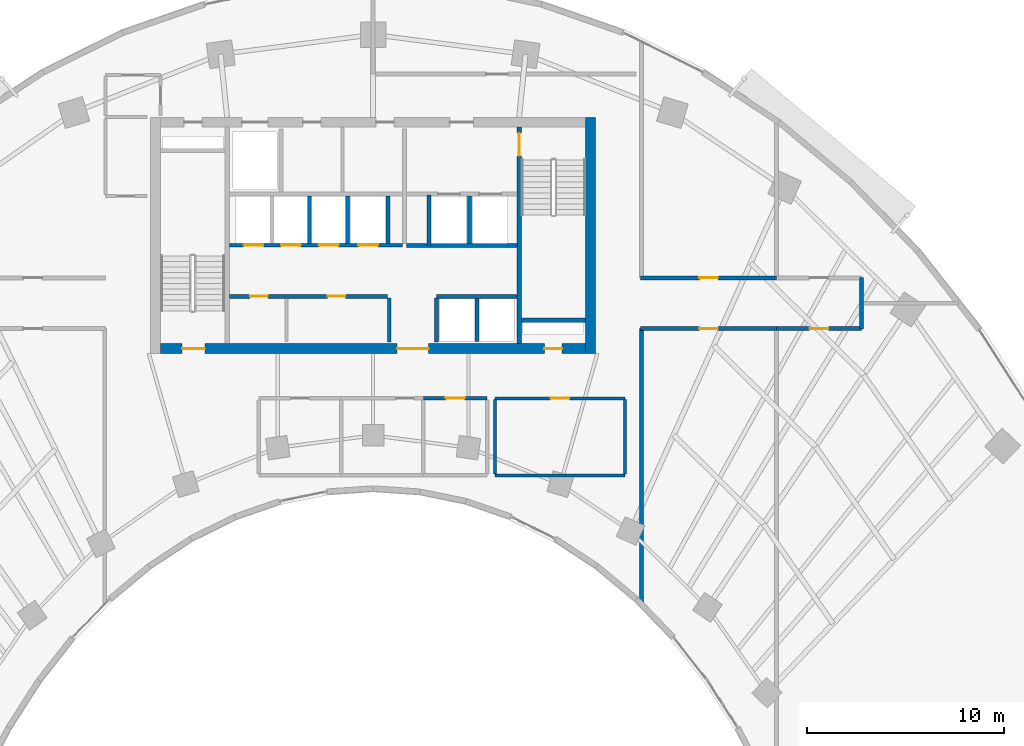
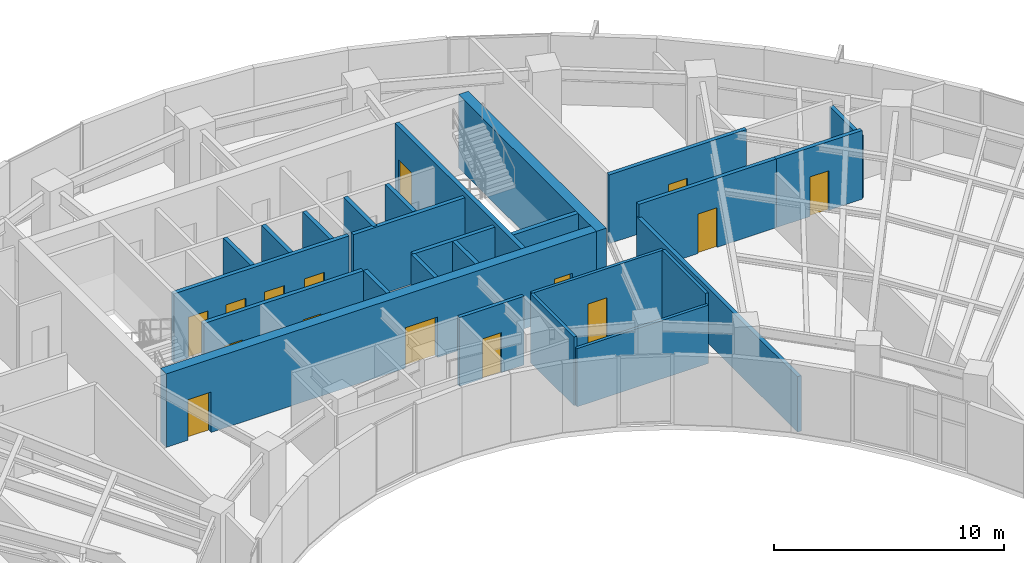
# One storey, part 9 of 13: 26 walls, 15 doors, 15 openings.
"""IFC4 building model written with IfcOpenShell, lengths in metres."""

from ifc_helpers import new_model, si_unit, direction, frame, frame_2d, origin, place, context, subcontext, project, spatial, rectangle, extrude, source, transform, mapped, material, layer, layer_set, type_object, type_shapes, element, fill, save


model = new_model("IFC4")

# Units and contexts
model_context = context("Model", 3, precision=1e-05, world=origin(), true_north=direction((0.0, 1.0)))
body_context = subcontext(model_context, "Body", "Model", "MODEL_VIEW")
ifc_project = project(units=[si_unit("LENGTHUNIT", "METRE"), si_unit("AREAUNIT", "SQUARE_METRE"), si_unit("VOLUMEUNIT", "CUBIC_METRE"), si_unit("PLANEANGLEUNIT", "RADIAN"), si_unit("MASSUNIT", "GRAM", prefix="KILO")], contexts=[model_context])

# Site, building, storey
site_placement = place(None, origin())
site = spatial("IfcSite", under=ifc_project, at=site_placement, CompositionType="ELEMENT")
building_placement = place(site_placement, origin())
building = spatial("IfcBuilding", under=site, at=building_placement, Name="Breltana Convention Tower", CompositionType="ELEMENT")
storey_placement = place(building_placement, frame((0.0, 0.0, 107.699951171875)))
storey = spatial("IfcBuildingStorey", under=building, at=storey_placement, Name="L25", CompositionType="ELEMENT", Elevation=107.699951171875)

# Wall
ifc_material_1 = material(Name="Concrete C60/75", Category="concrete")
ifc_layer_1 = layer(ifc_material_1, 0.5, Name="Concrete C60/75")
ifc_layer_set_1 = layer_set([ifc_layer_1], Name="Concrete C60/75")
wall_type_1 = type_object("IfcWallType", Name="SW-CORE-500", PredefinedType="SHEAR", material=ifc_layer_set_1)
shared_shape_1 = source(origin(), body_context, "Body", "SweptSolid", [
    extrude(rectangle(XDim=12.0, YDim=0.5, at=frame_2d((6.0, 0.0))), origin(), (0.0, 0.0, 1.0), 3.900146484375),
])
wall_1_placement = place(storey_placement, frame((59.050048828125, 60.199951171875, 0.0), z_axis=(0.0, 0.0, 1.0), x_axis=(0.0, 1.0, 0.0)))
element("IfcWall", 1, at=wall_1_placement, inside=storey, type_object=wall_type_1, Name="L25 East Core Shear Wall", PredefinedType="SHEAR", context=body_context, shape_type="MappedRepresentation", body=[
    mapped(shared_shape_1, transform((0.0, 0.0, 0.0), scale=1.0)),
])

# Wall, openings, doors
shared_shape_2 = source(origin(), body_context, "Body", "SweptSolid", [
    extrude(rectangle(XDim=21.60009765625, YDim=0.5, at=frame_2d((10.800048828125, 0.0))), origin(), (0.0, 0.0, 1.0), 3.900146484375),
])
wall_2_placement = place(storey_placement, frame((37.199951171875, 60.449951171875, 0.0), z_axis=(0.0, 0.0, 1.0), x_axis=(1.0, 0.0, 0.0)))
wall_2 = element("IfcWall", 2, at=wall_2_placement, inside=storey, type_object=wall_type_1, Name="L25 South Core Shear Wall", PredefinedType="SHEAR", context=body_context, shape_type="MappedRepresentation", body=[
    mapped(shared_shape_2, transform((0.0, 0.0, 0.0), scale=1.0)),
])
opening_1_placement = place(wall_2_placement, frame((1.10009765625, 0.0, 0.0)))
opening_1 = element("IfcOpeningElement", 3, at=opening_1_placement, cuts=wall_2, Name="Opening D-11", PredefinedType="OPENING", context=body_context, shape_type="SweptSolid", body=[
    extrude(rectangle(XDim=1.14990234375, YDim=2.14990234375, at=frame_2d((0.574951171875, 1.074951171875))), frame((0.0, 0.260009765625, 0.0), z_axis=(0.0, -1.0, 0.0), x_axis=(1.0, 0.0, 0.0)), (0.0, 0.0, 1.0), 0.52001953125),
])
opening_2_placement = place(wall_2_placement, frame((19.5, 0.0, 0.0)))
opening_2 = element("IfcOpeningElement", 4, at=opening_2_placement, cuts=wall_2, Name="Opening D-18", PredefinedType="OPENING", context=body_context, shape_type="SweptSolid", body=[
    extrude(rectangle(XDim=0.89990234375, YDim=2.10009765625, at=frame_2d((0.449951171875, 1.050048828125))), frame((0.0, 0.260009765625, 0.0), z_axis=(0.0, -1.0, 0.0), x_axis=(1.0, 0.0, 0.0)), (0.0, 0.0, 1.0), 0.52001953125),
])
opening_3_placement = place(wall_2_placement, frame((12.02001953125, 0.0, 0.0)))
opening_3 = element("IfcOpeningElement", 5, at=opening_3_placement, cuts=wall_2, Name="Opening D-02", PredefinedType="OPENING", context=body_context, shape_type="SweptSolid", body=[
    extrude(rectangle(XDim=1.60009765625, YDim=2.14990234375, at=frame_2d((0.800048828125, 1.074951171875))), frame((0.0, 0.260009765625, 0.0), z_axis=(0.0, -1.0, 0.0), x_axis=(1.0, 0.0, 0.0)), (0.0, 0.0, 1.0), 0.52001953125),
])
ifc_material_2 = material(Name="Steel Stair Exit Door", Category="steel")
door_type_1 = type_object("IfcDoorType", Name="DR-FD120-1150", OperationType="NOTDEFINED", PredefinedType="DOOR", material=ifc_material_2)
shared_shape_3 = source(origin(), body_context, "Body", "SweptSolid", [
    extrude(rectangle(XDim=1.14990234375, YDim=2.14990234375, at=frame_2d((0.574951171875, 1.074951171875))), frame((0.0, 0.02490234375, 0.0), z_axis=(0.0, -1.0, 0.0), x_axis=(1.0, 0.0, 0.0)), (0.0, 0.0, 1.0), 0.050048828125),
])
type_shapes(door_type_1, [shared_shape_3])
door_1_placement = place(opening_1_placement, origin())
door_1 = element("IfcDoor", 6, at=door_1_placement, inside=storey, type_object=door_type_1, Name="L25 interior door D-L25-ST1", OperationType="SINGLE_SWING_LEFT", OverallHeight=2.14990234375, OverallWidth=1.14990234375, PredefinedType="DOOR", context=body_context, shape_type="MappedRepresentation", body=[
    mapped(shared_shape_3, transform((0.0, 0.0, 0.0), scale=1.0)),
])
fill(opening_1, door_1)
ifc_material_3 = material(Name="Steel Riser Fire Door", Category="steel")
door_type_2 = type_object("IfcDoorType", Name="DR-FD60-900", OperationType="NOTDEFINED", PredefinedType="DOOR", material=ifc_material_3)
shared_shape_4 = source(origin(), body_context, "Body", "SweptSolid", [
    extrude(rectangle(XDim=0.89990234375, YDim=2.10009765625, at=frame_2d((0.449951171875, 1.050048828125))), frame((0.0, 0.02490234375, 0.0), z_axis=(0.0, -1.0, 0.0), x_axis=(1.0, 0.0, 0.0)), (0.0, 0.0, 1.0), 0.050048828125),
])
type_shapes(door_type_2, [shared_shape_4])
door_2_placement = place(opening_2_placement, origin())
door_2 = element("IfcDoor", 7, at=door_2_placement, inside=storey, type_object=door_type_2, Name="L25 Core Riser Access Door D-L25-RS2", OperationType="SINGLE_SWING_RIGHT", OverallHeight=2.10009765625, OverallWidth=0.89990234375, PredefinedType="DOOR", context=body_context, shape_type="MappedRepresentation", body=[
    mapped(shared_shape_4, transform((0.0, 0.0, 0.0), scale=1.0)),
])
fill(opening_2, door_2)
ifc_material_4 = material(Name="Steel Glazed Smoke-Control Door", Category="steel")
door_type_3 = type_object("IfcDoorType", Name="DR-DBL-FD90-1600", OperationType="DOUBLE_DOOR_SINGLE_SWING", PredefinedType="DOOR", material=ifc_material_4)
shared_shape_5 = source(origin(), body_context, "Body", "SweptSolid", [
    extrude(rectangle(XDim=1.60009765625, YDim=2.14990234375, at=frame_2d((0.800048828125, 1.074951171875))), frame((0.0, 0.02490234375, 0.0), z_axis=(0.0, -1.0, 0.0), x_axis=(1.0, 0.0, 0.0)), (0.0, 0.0, 1.0), 0.050048828125),
])
type_shapes(door_type_3, [shared_shape_5])
door_3_placement = place(opening_3_placement, origin())
door_3 = element("IfcDoor", 8, at=door_3_placement, inside=storey, type_object=door_type_3, Name="L25 interior door D-L25-LLB-S", OperationType="DOUBLE_DOOR_SINGLE_SWING", OverallHeight=2.14990234375, OverallWidth=1.60009765625, PredefinedType="DOOR", context=body_context, shape_type="MappedRepresentation", body=[
    mapped(shared_shape_5, transform((0.0, 0.0, 0.0), scale=1.0)),
])
fill(opening_3, door_3)

# Wall
ifc_material_5 = material(Name="Concrete C50/60", Category="concrete")
ifc_layer_2 = layer(ifc_material_5, 0.39990234375, Name="Concrete C50/60")
ifc_layer_set_2 = layer_set([ifc_layer_2], Name="Concrete C50/60")
wall_type_2 = type_object("IfcWallType", Name="SW-CORE-400", PredefinedType="SHEAR", material=ifc_layer_set_2)
shared_shape_6 = source(origin(), body_context, "Body", "SweptSolid", [
    extrude(rectangle(XDim=3.27001953125, YDim=0.219970703125, at=frame_2d((1.635009765625, 0.0))), origin(), (0.0, 0.0, 1.0), 3.900146484375),
])
wall_3_placement = place(storey_placement, frame((55.530029296875, 61.889892578125, 0.0), z_axis=(0.0, 0.0, 1.0), x_axis=(1.0, 0.0, 0.0)))
element("IfcWall", 9, at=wall_3_placement, inside=storey, type_object=wall_type_2, Name="L25 ST-2 Stairwell South Bearing Wall", PredefinedType="SHEAR", context=body_context, shape_type="MappedRepresentation", body=[
    mapped(shared_shape_6, transform((0.0, 0.0, 0.0), scale=1.0)),
])

# Wall, opening, door
shared_shape_7 = source(origin(), body_context, "Body", "SweptSolid", [
    extrude(rectangle(XDim=11.0, YDim=0.219970703125, at=frame_2d((5.5, 0.0))), origin(), (0.0, 0.0, 1.0), 3.900146484375),
])
wall_4_placement = place(storey_placement, frame((55.419921875, 60.699951171875, 0.0), z_axis=(0.0, 0.0, 1.0), x_axis=(0.0, 1.0, 0.0)))
wall_4 = element("IfcWall", 10, at=wall_4_placement, inside=storey, type_object=wall_type_2, Name="L25 Core East Stair Spine Wall", PredefinedType="SHEAR", context=body_context, shape_type="MappedRepresentation", body=[
    mapped(shared_shape_7, transform((0.0, 0.0, 0.0), scale=1.0)),
])
opening_4_placement = place(wall_4_placement, frame((9.544921875, 0.0, 0.0)))
opening_4 = element("IfcOpeningElement", 11, at=opening_4_placement, cuts=wall_4, Name="Opening D-11", PredefinedType="OPENING", context=body_context, shape_type="SweptSolid", body=[
    extrude(rectangle(XDim=1.14990234375, YDim=2.14990234375, at=frame_2d((0.574951171875, 1.074951171875))), frame((0.0, 0.1201171875, 0.0), z_axis=(0.0, -1.0, 0.0), x_axis=(1.0, 0.0, 0.0)), (0.0, 0.0, 1.0), 0.239990234375),
])
door_4_placement = place(opening_4_placement, origin())
door_4 = element("IfcDoor", 12, at=door_4_placement, inside=storey, type_object=door_type_1, Name="L25 interior door D-L25-ST2", OperationType="SINGLE_SWING_LEFT", OverallHeight=2.14990234375, OverallWidth=1.14990234375, PredefinedType="DOOR", context=body_context, shape_type="MappedRepresentation", body=[
    mapped(shared_shape_3, transform((0.0, 0.0, 0.0), scale=1.0)),
])
fill(opening_4, door_4)

# Walls
ifc_material_6 = material(Name="Gypsum Acoustic Drywall Partition")
ifc_layer_3 = layer(ifc_material_6, 0.14990234375, Name="Gypsum Acoustic Drywall Partition")
ifc_layer_set_3 = layer_set([ifc_layer_3], Name="Gypsum Acoustic Drywall Partition")
wall_type_3 = type_object("IfcWallType", Name="WL-PART-150", PredefinedType="PARTITIONING", material=ifc_layer_set_3)
shared_shape_8 = source(origin(), body_context, "Body", "SweptSolid", [
    extrude(rectangle(XDim=6.60009765625, YDim=0.14990234375, at=frame_2d((3.300048828125, 0.0))), origin(), (0.0, 0.0, 1.0), 3.094970703125),
])
wall_5_placement = place(storey_placement, frame((54.199951171875, 54.0, 0.0), z_axis=(0.0, 0.0, 1.0), x_axis=(1.0, 0.0, 0.0)))
element("IfcWall", 13, at=wall_5_placement, inside=storey, type_object=wall_type_3, Name="L25 interior partition W-L25-PNT-S", PredefinedType="PARTITIONING", context=body_context, shape_type="MappedRepresentation", body=[
    mapped(shared_shape_8, transform((0.0, 0.0, 0.0), scale=1.0)),
])
ifc_material_7 = material(Name="Autoclaved Aerated Concrete Block", Category="concrete")
ifc_layer_4 = layer(ifc_material_7, 0.199951171875, Name="Autoclaved Aerated Concrete Block")
ifc_layer_set_4 = layer_set([ifc_layer_4], Name="Autoclaved Aerated Concrete Block")
wall_type_4 = type_object("IfcWallType", Name="WL-SHAFT-200", PredefinedType="SOLIDWALL", material=ifc_layer_set_4)
shared_shape_9 = source(origin(), body_context, "Body", "SweptSolid", [
    extrude(rectangle(XDim=2.239990234375, YDim=0.199951171875, at=frame_2d((1.1201171875, 0.0))), origin(), (0.0, 0.0, 1.0), 3.650146484375),
])
for number, where, z_axis, x_axis, name in (
    (14, (48.820068359375, 60.780029296875, 0.0), (0.0, 0.0, 1.0), (0.0, 1.0, 0.0), "L25 interior partition W-L25-PORT-W"),
    (15, (51.219970703125, 60.780029296875, 0.0), (0.0, 0.0, 1.0), (0.0, 1.0, 0.0), "L25 interior partition W-L25-PORT-E"),
):
    element("IfcWall", number, at=place(storey_placement, frame(where, z_axis=z_axis, x_axis=x_axis)), inside=storey, type_object=wall_type_4, Name=name, PredefinedType="SOLIDWALL", context=body_context, shape_type="MappedRepresentation", body=[
        mapped(shared_shape_9, transform((0.0, 0.0, 0.0), scale=1.0)),
    ])
shared_shape_10 = source(origin(), body_context, "Body", "SweptSolid", [
    extrude(rectangle(XDim=5.6201171875, YDim=0.199951171875, at=frame_2d((2.81005859375, 0.0))), origin(), (0.0, 0.0, 1.0), 3.650146484375),
])
wall_6_placement = place(storey_placement, frame((49.699951171875, 65.679931640625, 0.0), z_axis=(0.0, 0.0, 1.0), x_axis=(1.0, 0.0, 0.0)))
element("IfcWall", 16, at=wall_6_placement, inside=storey, type_object=wall_type_4, Name="L25 interior partition W-L25-FL-S", PredefinedType="SOLIDWALL", context=body_context, shape_type="MappedRepresentation", body=[
    mapped(shared_shape_10, transform((0.0, 0.0, 0.0), scale=1.0)),
])
shared_shape_11 = source(origin(), body_context, "Body", "SweptSolid", [
    extrude(rectangle(XDim=2.580078125, YDim=0.199951171875, at=frame_2d((1.2900390625, 0.0))), origin(), (0.0, 0.0, 1.0), 3.650146484375),
])
wall_7_placement = place(storey_placement, frame((50.85009765625, 65.679931640625, 0.0), z_axis=(0.0, 0.0, 1.0), x_axis=(0.0, 1.0, 0.0)))
element("IfcWall", 17, at=wall_7_placement, inside=storey, type_object=wall_type_4, Name="L25 interior partition W-L25-FL-W", PredefinedType="SOLIDWALL", context=body_context, shape_type="MappedRepresentation", body=[
    mapped(shared_shape_11, transform((0.0, 0.0, 0.0), scale=1.0)),
])
shared_shape_12 = source(origin(), body_context, "Body", "SweptSolid", [
    extrude(rectangle(XDim=2.39990234375, YDim=0.199951171875, at=frame_2d((1.199951171875, 0.0))), origin(), (0.0, 0.0, 1.0), 3.650146484375),
])
for number, where, z_axis, x_axis, name in (
    (18, (52.89990234375, 65.800048828125, 0.0), (0.0, 0.0, 1.0), (0.0, 1.0, 0.0), "L25 interior partition W-L25-FL-DIV"),
    (19, (48.75, 65.800048828125, 0.0), (0.0, 0.0, 1.0), (0.0, 1.0, 0.0), "L25 interior partition W-L25-SH-M-END"),
    (20, (44.77001953125, 65.800048828125, 0.0), (0.0, 0.0, 1.0), (0.0, 1.0, 0.0), "L25 interior partition W-L25-SH-M-DIV2"),
    (21, (46.699951171875, 65.800048828125, 0.0), (0.0, 0.0, 1.0), (0.0, 1.0, 0.0), "L25 interior partition W-L25-SH-M-DIV3"),
):
    element("IfcWall", number, at=place(storey_placement, frame(where, z_axis=z_axis, x_axis=x_axis)), inside=storey, type_object=wall_type_4, Name=name, PredefinedType="SOLIDWALL", context=body_context, shape_type="MappedRepresentation", body=[
        mapped(shared_shape_12, transform((0.0, 0.0, 0.0), scale=1.0)),
    ])

# Wall, openings, doors
shared_shape_13 = source(origin(), body_context, "Body", "SweptSolid", [
    extrude(rectangle(XDim=8.800048828125, YDim=0.199951171875, at=frame_2d((4.39990234375, 0.0))), origin(), (0.0, 0.0, 1.0), 3.650146484375),
])
wall_8_placement = place(storey_placement, frame((40.699951171875, 65.699951171875, 0.0), z_axis=(0.0, 0.0, 1.0), x_axis=(1.0, 0.0, 0.0)))
wall_8 = element("IfcWall", 22, at=wall_8_placement, inside=storey, type_object=wall_type_4, Name="L25 interior partition W-L25-SH-M-FRONT", PredefinedType="SOLIDWALL", context=body_context, shape_type="MappedRepresentation", body=[
    mapped(shared_shape_13, transform((0.0, 0.0, 0.0), scale=1.0)),
])
opening_5_placement = place(wall_8_placement, frame((0.719970703125, 0.0, 0.0)))
opening_5 = element("IfcOpeningElement", 23, at=opening_5_placement, cuts=wall_8, Name="Opening LD-04", PredefinedType="OPENING", context=body_context, shape_type="SweptSolid", body=[
    extrude(rectangle(XDim=1.0, YDim=2.14990234375, at=frame_2d((0.5, 1.074951171875))), frame((0.0, 0.10986328125, 0.0), z_axis=(0.0, -1.0, 0.0), x_axis=(1.0, 0.0, 0.0)), (0.0, 0.0, 1.0), 0.219970703125),
])
opening_6_placement = place(wall_8_placement, frame((2.6201171875, 0.0, 0.0)))
opening_6 = element("IfcOpeningElement", 24, at=opening_6_placement, cuts=wall_8, Name="Opening LD-04", PredefinedType="OPENING", context=body_context, shape_type="SweptSolid", body=[
    extrude(rectangle(XDim=1.0, YDim=2.14990234375, at=frame_2d((0.5, 1.074951171875))), frame((0.0, 0.10986328125, 0.0), z_axis=(0.0, -1.0, 0.0), x_axis=(1.0, 0.0, 0.0)), (0.0, 0.0, 1.0), 0.219970703125),
])
opening_7_placement = place(wall_8_placement, frame((4.550048828125, 0.0, 0.0)))
opening_7 = element("IfcOpeningElement", 25, at=opening_7_placement, cuts=wall_8, Name="Opening LD-04", PredefinedType="OPENING", context=body_context, shape_type="SweptSolid", body=[
    extrude(rectangle(XDim=1.0, YDim=2.14990234375, at=frame_2d((0.5, 1.074951171875))), frame((0.0, 0.10986328125, 0.0), z_axis=(0.0, -1.0, 0.0), x_axis=(1.0, 0.0, 0.0)), (0.0, 0.0, 1.0), 0.219970703125),
])
opening_8_placement = place(wall_8_placement, frame((6.550048828125, 0.0, 0.0)))
opening_8 = element("IfcOpeningElement", 26, at=opening_8_placement, cuts=wall_8, Name="Opening LD-04", PredefinedType="OPENING", context=body_context, shape_type="SweptSolid", body=[
    extrude(rectangle(XDim=1.0, YDim=2.14990234375, at=frame_2d((0.5, 1.074951171875))), frame((0.0, 0.10986328125, 0.0), z_axis=(0.0, -1.0, 0.0), x_axis=(1.0, 0.0, 0.0)), (0.0, 0.0, 1.0), 0.219970703125),
])
ifc_material_8 = material(Name="Stainless Steel Brushed", Category="steel")
door_type_4 = type_object("IfcDoorType", Name="DR-LD-PAX-1000", OperationType="DOUBLE_DOOR_SLIDING", PredefinedType="DOOR", material=ifc_material_8)
shared_shape_14 = source(origin(), body_context, "Body", "SweptSolid", [
    extrude(rectangle(XDim=1.0, YDim=2.14990234375, at=frame_2d((0.5, 1.074951171875))), frame((0.0, 0.02490234375, 0.0), z_axis=(0.0, -1.0, 0.0), x_axis=(1.0, 0.0, 0.0)), (0.0, 0.0, 1.0), 0.050048828125),
])
type_shapes(door_type_4, [shared_shape_14])
door_5_placement = place(opening_5_placement, origin())
door_5 = element("IfcDoor", 27, at=door_5_placement, inside=storey, type_object=door_type_4, Name="L25 Lift Landing Door D-L25-LD-M1", OperationType="DOUBLE_DOOR_SLIDING", OverallHeight=2.14990234375, OverallWidth=1.0, PredefinedType="DOOR", context=body_context, shape_type="MappedRepresentation", body=[
    mapped(shared_shape_14, transform((0.0, 0.0, 0.0), scale=1.0)),
])
fill(opening_5, door_5)
door_6_placement = place(opening_6_placement, origin())
door_6 = element("IfcDoor", 28, at=door_6_placement, inside=storey, type_object=door_type_4, Name="L25 Lift Landing Door D-L25-LD-M2", OperationType="DOUBLE_DOOR_SLIDING", OverallHeight=2.14990234375, OverallWidth=1.0, PredefinedType="DOOR", context=body_context, shape_type="MappedRepresentation", body=[
    mapped(shared_shape_14, transform((0.0, 0.0, 0.0), scale=1.0)),
])
fill(opening_6, door_6)
door_7_placement = place(opening_7_placement, origin())
door_7 = element("IfcDoor", 29, at=door_7_placement, inside=storey, type_object=door_type_4, Name="L25 Lift Landing Door D-L25-LD-M3", OperationType="DOUBLE_DOOR_SLIDING", OverallHeight=2.14990234375, OverallWidth=1.0, PredefinedType="DOOR", context=body_context, shape_type="MappedRepresentation", body=[
    mapped(shared_shape_14, transform((0.0, 0.0, 0.0), scale=1.0)),
])
fill(opening_7, door_7)
door_8_placement = place(opening_8_placement, origin())
door_8 = element("IfcDoor", 30, at=door_8_placement, inside=storey, type_object=door_type_4, Name="L25 Lift Landing Door D-L25-LD-M4", OperationType="DOUBLE_DOOR_SLIDING", OverallHeight=2.14990234375, OverallWidth=1.0, PredefinedType="DOOR", context=body_context, shape_type="MappedRepresentation", body=[
    mapped(shared_shape_14, transform((0.0, 0.0, 0.0), scale=1.0)),
])
fill(opening_8, door_8)

shared_shape_15 = source(origin(), body_context, "Body", "SweptSolid", [
    extrude(rectangle(XDim=8.02001953125, YDim=0.199951171875, at=frame_2d((4.010009765625, 0.0))), origin(), (0.0, 0.0, 1.0), 3.650146484375),
])
wall_9_placement = place(storey_placement, frame((40.699951171875, 63.10009765625, 0.0), z_axis=(0.0, 0.0, 1.0), x_axis=(1.0, 0.0, 0.0)))
wall_9 = element("IfcWall", 31, at=wall_9_placement, inside=storey, type_object=wall_type_4, Name="L25 interior partition W-L25-SH-S-FRONT", PredefinedType="SOLIDWALL", context=body_context, shape_type="MappedRepresentation", body=[
    mapped(shared_shape_15, transform((0.0, 0.0, 0.0), scale=1.0)),
])
opening_9_placement = place(wall_9_placement, frame((1.050048828125, 0.0, 0.0)))
opening_9 = element("IfcOpeningElement", 32, at=opening_9_placement, cuts=wall_9, Name="Opening D-18", PredefinedType="OPENING", context=body_context, shape_type="SweptSolid", body=[
    extrude(rectangle(XDim=0.89990234375, YDim=2.10009765625, at=frame_2d((0.449951171875, 1.050048828125))), frame((0.0, 0.10986328125, 0.0), z_axis=(0.0, -1.0, 0.0), x_axis=(1.0, 0.0, 0.0)), (0.0, 0.0, 1.0), 0.219970703125),
])
opening_10_placement = place(wall_9_placement, frame((4.989990234375, 0.0, 0.0)))
opening_10 = element("IfcOpeningElement", 33, at=opening_10_placement, cuts=wall_9, Name="Opening D-18", PredefinedType="OPENING", context=body_context, shape_type="SweptSolid", body=[
    extrude(rectangle(XDim=0.89990234375, YDim=2.10009765625, at=frame_2d((0.449951171875, 1.050048828125))), frame((0.0, 0.10986328125, 0.0), z_axis=(0.0, -1.0, 0.0), x_axis=(1.0, 0.0, 0.0)), (0.0, 0.0, 1.0), 0.219970703125),
])
door_9_placement = place(opening_9_placement, origin())
door_9 = element("IfcDoor", 34, at=door_9_placement, inside=storey, type_object=door_type_2, Name="L25 interior door D-L25-LV7-B1A", OperationType="SINGLE_SWING_LEFT", OverallHeight=2.10009765625, OverallWidth=0.89990234375, PredefinedType="DOOR", context=body_context, shape_type="MappedRepresentation", body=[
    mapped(shared_shape_4, transform((0.0, 0.0, 0.0), scale=1.0)),
])
fill(opening_9, door_9)
door_10_placement = place(opening_10_placement, origin())
door_10 = element("IfcDoor", 35, at=door_10_placement, inside=storey, type_object=door_type_2, Name="L25 interior door D-L25-LV7-B1B", OperationType="SINGLE_SWING_RIGHT", OverallHeight=2.10009765625, OverallWidth=0.89990234375, PredefinedType="DOOR", context=body_context, shape_type="MappedRepresentation", body=[
    mapped(shared_shape_4, transform((0.0, 0.0, 0.0), scale=1.0)),
])
fill(opening_10, door_10)

# Walls
shared_shape_16 = source(origin(), body_context, "Body", "SweptSolid", [
    extrude(rectangle(XDim=4.10009765625, YDim=0.199951171875, at=frame_2d((2.050048828125, 0.0))), origin(), (0.0, 0.0, 1.0), 3.650146484375),
])
wall_10_placement = place(storey_placement, frame((51.219970703125, 63.10009765625, 0.0), z_axis=(0.0, 0.0, 1.0), x_axis=(1.0, 0.0, 0.0)))
element("IfcWall", 36, at=wall_10_placement, inside=storey, type_object=wall_type_4, Name="L25 interior partition W-L25-SH-X-FRONT", PredefinedType="SOLIDWALL", context=body_context, shape_type="MappedRepresentation", body=[
    mapped(shared_shape_16, transform((0.0, 0.0, 0.0), scale=1.0)),
])
shared_shape_17 = source(origin(), body_context, "Body", "SweptSolid", [
    extrude(rectangle(XDim=2.199951171875, YDim=0.199951171875, at=frame_2d((1.10009765625, 0.0))), origin(), (0.0, 0.0, 1.0), 3.650146484375),
])
wall_11_placement = place(storey_placement, frame((53.280029296875, 60.800048828125, 0.0), z_axis=(0.0, 0.0, 1.0), x_axis=(0.0, 1.0, 0.0)))
element("IfcWall", 37, at=wall_11_placement, inside=storey, type_object=wall_type_4, Name="L25 interior partition W-L25-SH-X-DIV", PredefinedType="SOLIDWALL", context=body_context, shape_type="MappedRepresentation", body=[
    mapped(shared_shape_17, transform((0.0, 0.0, 0.0), scale=1.0)),
])

# Wall, opening, door
ifc_material_9 = material(Name="Moisture-Resistant Gypsum Chase Wall")
ifc_layer_5 = layer(ifc_material_9, 0.179931640625, Name="Moisture-Resistant Gypsum Chase Wall")
ifc_layer_set_5 = layer_set([ifc_layer_5], Name="Moisture-Resistant Gypsum Chase Wall")
wall_type_5 = type_object("IfcWallType", Name="WL-PLUMB-180", PredefinedType="PLUMBINGWALL", material=ifc_layer_set_5)
shared_shape_18 = source(origin(), body_context, "Body", "SweptSolid", [
    extrude(rectangle(XDim=3.248046875, YDim=0.179931640625, at=frame_2d((1.6240234375, 0.0))), origin(), (0.0, 0.0, 1.0), 3.650146484375),
])
wall_12_placement = place(storey_placement, frame((50.552001953125, 57.919921875, 0.0), z_axis=(0.0, 0.0, 1.0), x_axis=(1.0, 0.0, 0.0)))
wall_12 = element("IfcWall", 38, at=wall_12_placement, inside=storey, type_object=wall_type_5, Name="L25 interior partition W-L25-WCA-N", PredefinedType="PLUMBINGWALL", context=body_context, shape_type="MappedRepresentation", body=[
    mapped(shared_shape_18, transform((0.0, 0.0, 0.0), scale=1.0)),
])
opening_11_placement = place(wall_12_placement, frame((1.14892578125, 0.0, 0.0)))
opening_11 = element("IfcOpeningElement", 39, at=opening_11_placement, cuts=wall_12, Name="Opening D-16", PredefinedType="OPENING", context=body_context, shape_type="SweptSolid", body=[
    extrude(rectangle(XDim=0.949951171875, YDim=2.1201171875, at=frame_2d((0.47509765625, 1.06005859375))), frame((0.0, 0.10009765625, 0.0), z_axis=(0.0, -1.0, 0.0), x_axis=(1.0, 0.0, 0.0)), (0.0, 0.0, 1.0), 0.199951171875),
])
ifc_material_10 = material(Name="Timber Laminate Accessible Door", Category="wood")
door_type_5 = type_object("IfcDoorType", Name="DR-ACC-950", OperationType="NOTDEFINED", PredefinedType="DOOR", material=ifc_material_10)
shared_shape_19 = source(origin(), body_context, "Body", "SweptSolid", [
    extrude(rectangle(XDim=0.949951171875, YDim=2.1201171875, at=frame_2d((0.47509765625, 1.06005859375))), frame((0.0, 0.02490234375, 0.0), z_axis=(0.0, -1.0, 0.0), x_axis=(1.0, 0.0, 0.0)), (0.0, 0.0, 1.0), 0.050048828125),
])
type_shapes(door_type_5, [shared_shape_19])
door_11_placement = place(opening_11_placement, origin())
door_11 = element("IfcDoor", 40, at=door_11_placement, inside=storey, type_object=door_type_5, Name="L25 interior door D-L25-WCA", OperationType="SINGLE_SWING_LEFT", OverallHeight=2.1201171875, OverallWidth=0.949951171875, PredefinedType="DOOR", context=body_context, shape_type="MappedRepresentation", body=[
    mapped(shared_shape_19, transform((0.0, 0.0, 0.0), scale=1.0)),
])
fill(opening_11, door_11)

shared_shape_20 = source(origin(), body_context, "Body", "SweptSolid", [
    extrude(rectangle(XDim=6.60009765625, YDim=0.14990234375, at=frame_2d((3.300048828125, 0.0))), origin(), (0.0, 0.0, 1.0), 3.650146484375),
])
wall_13_placement = place(storey_placement, frame((54.199951171875, 57.919921875, 0.0), z_axis=(0.0, 0.0, 1.0), x_axis=(1.0, 0.0, 0.0)))
wall_13 = element("IfcWall", 41, at=wall_13_placement, inside=storey, type_object=wall_type_3, Name="L25 interior partition W-L25-PNT-N", PredefinedType="PARTITIONING", context=body_context, shape_type="MappedRepresentation", body=[
    mapped(shared_shape_20, transform((0.0, 0.0, 0.0), scale=1.0)),
])
opening_12_placement = place(wall_13_placement, frame((2.824951171875, 0.0, 0.0)))
opening_12 = element("IfcOpeningElement", 42, at=opening_12_placement, cuts=wall_13, Name="Opening D-17", PredefinedType="OPENING", context=body_context, shape_type="SweptSolid", body=[
    extrude(rectangle(XDim=0.949951171875, YDim=2.10009765625, at=frame_2d((0.47509765625, 1.050048828125))), frame((0.0, 0.0849609375, 0.0), z_axis=(0.0, -1.0, 0.0), x_axis=(1.0, 0.0, 0.0)), (0.0, 0.0, 1.0), 0.169921875),
])
ifc_material_11 = material(Name="Timber Oak Veneer Door", Category="wood")
door_type_6 = type_object("IfcDoorType", Name="DR-INT-950", OperationType="NOTDEFINED", PredefinedType="DOOR", material=ifc_material_11)
shared_shape_21 = source(origin(), body_context, "Body", "SweptSolid", [
    extrude(rectangle(XDim=0.949951171875, YDim=2.10009765625, at=frame_2d((0.47509765625, 1.050048828125))), frame((0.0, 0.02490234375, 0.0), z_axis=(0.0, -1.0, 0.0), x_axis=(1.0, 0.0, 0.0)), (0.0, 0.0, 1.0), 0.050048828125),
])
type_shapes(door_type_6, [shared_shape_21])
door_12_placement = place(opening_12_placement, origin())
door_12 = element("IfcDoor", 43, at=door_12_placement, inside=storey, type_object=door_type_6, Name="L25 interior door D-L25-PNT", OperationType="SINGLE_SWING_RIGHT", OverallHeight=2.10009765625, OverallWidth=0.949951171875, PredefinedType="DOOR", context=body_context, shape_type="MappedRepresentation", body=[
    mapped(shared_shape_21, transform((0.0, 0.0, 0.0), scale=1.0)),
])
fill(opening_12, door_12)

# Walls
shared_shape_22 = source(origin(), body_context, "Body", "SweptSolid", [
    extrude(rectangle(XDim=3.78515625, YDim=0.14990234375, at=frame_2d((1.892578125, 0.0))), origin(), (0.0, 0.0, 1.0), 3.650146484375),
])
for number, where, z_axis, x_axis, name in (
    (44, (54.199951171875, 54.0673828125, 0.0), (0.0, 0.0, 1.0), (0.0, 1.0, 0.0), "L25 interior partition W-L25-PNT-W"),
    (45, (60.800048828125, 54.0673828125, 0.0), (0.0, 0.0, 1.0), (0.0, 1.0, 0.0), "L25 interior partition W-L25-PNT-E"),
):
    element("IfcWall", number, at=place(storey_placement, frame(where, z_axis=z_axis, x_axis=x_axis)), inside=storey, type_object=wall_type_3, Name=name, PredefinedType="PARTITIONING", context=body_context, shape_type="MappedRepresentation", body=[
        mapped(shared_shape_22, transform((0.0, 0.0, 0.0), scale=1.0)),
    ])

# Wall, opening, door
ifc_material_12 = material(Name="Gypsum Acoustic Hotel Wall")
ifc_layer_6 = layer(ifc_material_12, 0.195068359375, Name="Gypsum Acoustic Hotel Wall")
ifc_layer_set_6 = layer_set([ifc_layer_6], Name="Gypsum Acoustic Hotel Wall")
wall_type_6 = type_object("IfcWallType", Name="WL-HOTEL-200", PredefinedType="PARTITIONING", material=ifc_layer_set_6)
shared_shape_23 = source(origin(), body_context, "Body", "SweptSolid", [
    extrude(rectangle(XDim=6.89990234375, YDim=0.195068359375, at=frame_2d((3.449951171875, 0.0))), origin(), (0.0, 0.0, 1.0), 3.650146484375),
])
wall_14_placement = place(storey_placement, frame((61.60009765625, 64.0400390625, 0.0), z_axis=(0.0, 0.0, 1.0), x_axis=(1.0, 0.0, 0.0)))
wall_14 = element("IfcWall", 46, at=wall_14_placement, inside=storey, type_object=wall_type_6, Name="L25 interior partition W-L25-ZEN1-D", PredefinedType="PARTITIONING", context=body_context, shape_type="MappedRepresentation", body=[
    mapped(shared_shape_23, transform((0.0, 0.0, 0.0), scale=1.0)),
])
opening_13_placement = place(wall_14_placement, frame((2.97509765625, 0.0, 0.0)))
opening_13 = element("IfcOpeningElement", 47, at=opening_13_placement, cuts=wall_14, Name="Opening D-17", PredefinedType="OPENING", context=body_context, shape_type="SweptSolid", body=[
    extrude(rectangle(XDim=0.949951171875, YDim=2.10009765625, at=frame_2d((0.47509765625, 1.050048828125))), frame((0.0, 0.107421875, 0.0), z_axis=(0.0, -1.0, 0.0), x_axis=(1.0, 0.0, 0.0)), (0.0, 0.0, 1.0), 0.215087890625),
])
door_13_placement = place(opening_13_placement, origin())
door_13 = element("IfcDoor", 48, at=door_13_placement, inside=storey, type_object=door_type_6, Name="L25 interior door D-L25-ZEN1", OperationType="SINGLE_SWING_LEFT", OverallHeight=2.10009765625, OverallWidth=0.949951171875, PredefinedType="DOOR", context=body_context, shape_type="MappedRepresentation", body=[
    mapped(shared_shape_21, transform((0.0, 0.0, 0.0), scale=1.0)),
])
fill(opening_13, door_13)

wall_15_placement = place(storey_placement, frame((61.60009765625, 61.4599609375, 0.0), z_axis=(0.0, 0.0, 1.0), x_axis=(1.0, 0.0, 0.0)))
wall_15 = element("IfcWall", 49, at=wall_15_placement, inside=storey, type_object=wall_type_6, Name="L25 interior partition W-L25-ZES1-D", PredefinedType="PARTITIONING", context=body_context, shape_type="MappedRepresentation", body=[
    mapped(shared_shape_23, transform((0.0, 0.0, 0.0), scale=1.0)),
])
opening_14_placement = place(wall_15_placement, frame((2.97509765625, 0.0, 0.0)))
opening_14 = element("IfcOpeningElement", 50, at=opening_14_placement, cuts=wall_15, Name="Opening D-17", PredefinedType="OPENING", context=body_context, shape_type="SweptSolid", body=[
    extrude(rectangle(XDim=0.949951171875, YDim=2.10009765625, at=frame_2d((0.47509765625, 1.050048828125))), frame((0.0, 0.107421875, 0.0), z_axis=(0.0, -1.0, 0.0), x_axis=(1.0, 0.0, 0.0)), (0.0, 0.0, 1.0), 0.215087890625),
])
door_14_placement = place(opening_14_placement, origin())
door_14 = element("IfcDoor", 51, at=door_14_placement, inside=storey, type_object=door_type_6, Name="L25 interior door D-L25-ZES1", OperationType="SINGLE_SWING_LEFT", OverallHeight=2.10009765625, OverallWidth=0.949951171875, PredefinedType="DOOR", context=body_context, shape_type="MappedRepresentation", body=[
    mapped(shared_shape_21, transform((0.0, 0.0, 0.0), scale=1.0)),
])
fill(opening_14, door_14)

shared_shape_24 = source(origin(), body_context, "Body", "SweptSolid", [
    extrude(rectangle(XDim=4.320068359375, YDim=0.195068359375, at=frame_2d((2.16015625, 0.0))), origin(), (0.0, 0.0, 1.0), 3.650146484375),
])
wall_16_placement = place(storey_placement, frame((68.5, 61.4599609375, 0.0), z_axis=(0.0, 0.0, 1.0), x_axis=(1.0, 0.0, 0.0)))
wall_16 = element("IfcWall", 52, at=wall_16_placement, inside=storey, type_object=wall_type_6, Name="L25 interior partition W-L25-ZES2-D", PredefinedType="PARTITIONING", context=body_context, shape_type="MappedRepresentation", body=[
    mapped(shared_shape_24, transform((0.0, 0.0, 0.0), scale=1.0)),
])
opening_15_placement = place(wall_16_placement, frame((1.68505859375, 0.0, 0.0)))
opening_15 = element("IfcOpeningElement", 53, at=opening_15_placement, cuts=wall_16, Name="Opening D-17", PredefinedType="OPENING", context=body_context, shape_type="SweptSolid", body=[
    extrude(rectangle(XDim=0.949951171875, YDim=2.10009765625, at=frame_2d((0.47509765625, 1.050048828125))), frame((0.0, 0.107421875, 0.0), z_axis=(0.0, -1.0, 0.0), x_axis=(1.0, 0.0, 0.0)), (0.0, 0.0, 1.0), 0.215087890625),
])
door_15_placement = place(opening_15_placement, origin())
door_15 = element("IfcDoor", 54, at=door_15_placement, inside=storey, type_object=door_type_6, Name="L25 interior door D-L25-ZES2", OperationType="SINGLE_SWING_RIGHT", OverallHeight=2.10009765625, OverallWidth=0.949951171875, PredefinedType="DOOR", context=body_context, shape_type="MappedRepresentation", body=[
    mapped(shared_shape_21, transform((0.0, 0.0, 0.0), scale=1.0)),
])
fill(opening_15, door_15)

# Walls
shared_shape_25 = source(origin(), body_context, "Body", "SweptSolid", [
    extrude(rectangle(XDim=13.987548828125, YDim=0.195068359375, at=frame_2d((6.99365234375, 0.0))), origin(), (0.0, 0.0, 1.0), 2.942138671875),
])
wall_17_placement = place(storey_placement, frame((61.639892578125, 47.472412109375, 0.0), z_axis=(0.0, 0.0, 1.0), x_axis=(0.0, 1.0, 0.0)))
element("IfcWall", 55, at=wall_17_placement, inside=storey, type_object=wall_type_6, Name="L25 interior partition W-L25-ZODD-EC", PredefinedType="PARTITIONING", context=body_context, shape_type="MappedRepresentation", body=[
    mapped(shared_shape_25, transform((0.0, 0.0, 0.0), scale=1.0)),
])
shared_shape_26 = source(origin(), body_context, "Body", "SweptSolid", [
    extrude(rectangle(XDim=2.6201171875, YDim=0.195068359375, at=frame_2d((1.31005859375, 0.0))), origin(), (0.0, 0.0, 1.0), 3.323974609375),
])
wall_18_placement = place(storey_placement, frame((72.820068359375, 61.43994140625, 0.0), z_axis=(0.0, 0.0, 1.0), x_axis=(0.0, 1.0, 0.0)))
element("IfcWall", 56, at=wall_18_placement, inside=storey, type_object=wall_type_6, Name="L25 interior partition W-L25-ZFE-CAP", PredefinedType="PARTITIONING", context=body_context, shape_type="MappedRepresentation", body=[
    mapped(shared_shape_26, transform((0.0, 0.0, 0.0), scale=1.0)),
])

save(model, "model.ifc")
